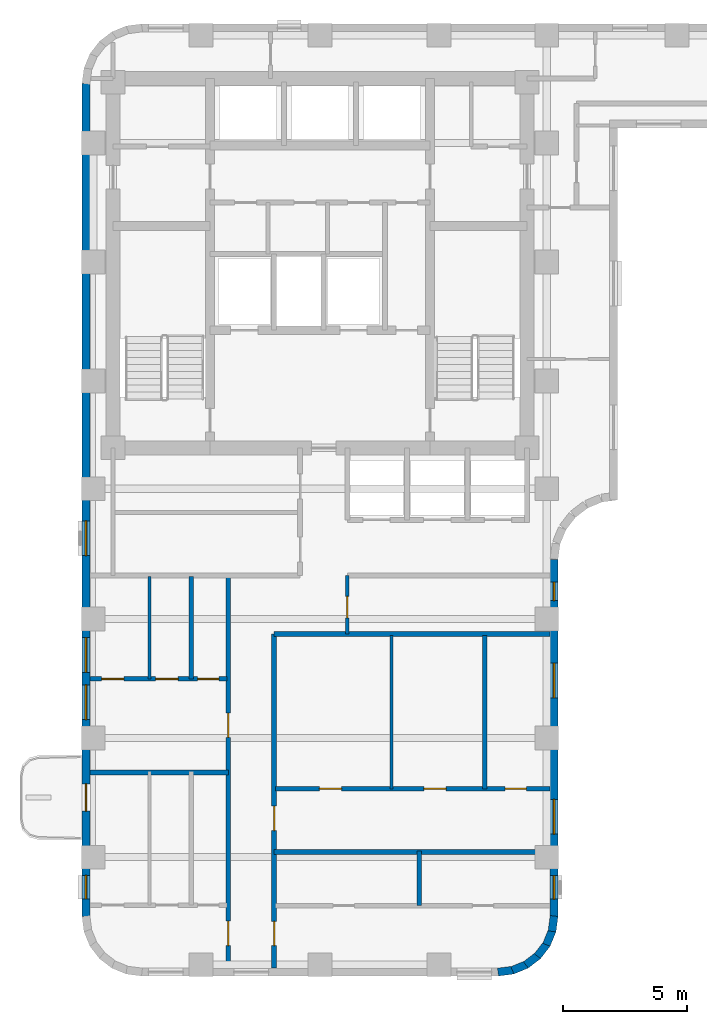
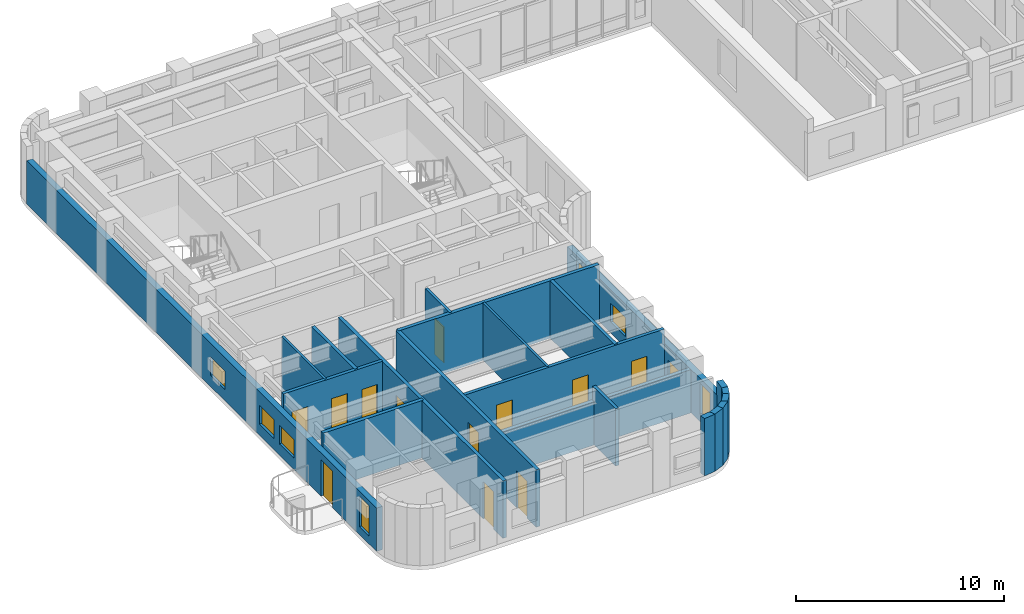
# One storey, part 4 of 11: 21 walls, 12 doors, 8 windows, 20 openings.
"""IFC4 building model written with IfcOpenShell, lengths in metres."""

from ifc_helpers import new_model, si_unit, direction, frame, frame_2d, origin, place, context, subcontext, project, spatial, rectangle, extrude, material, layer, layer_set, type_object, element, fill, save


model = new_model("IFC4")

# Units and contexts
model_context = context("Model", 3, precision=1e-05, world=origin(), true_north=direction((0.0, 1.0)))
body_context = subcontext(model_context, "Body", "Model", "MODEL_VIEW")
ifc_project = project(units=[si_unit("LENGTHUNIT", "METRE"), si_unit("AREAUNIT", "SQUARE_METRE"), si_unit("VOLUMEUNIT", "CUBIC_METRE"), si_unit("PLANEANGLEUNIT", "RADIAN"), si_unit("MASSUNIT", "GRAM", prefix="KILO")], contexts=[model_context])

# Site, building, storey
site_placement = place(None, origin())
site = spatial("IfcSite", under=ifc_project, at=site_placement, CompositionType="ELEMENT")
building_placement = place(site_placement, origin())
building = spatial("IfcBuilding", under=site, at=building_placement, Name="Orvandelia Arch Residences", CompositionType="ELEMENT")
storey_placement = place(building_placement, frame((0.0, 0.0, 175.60009765625)))
storey = spatial("IfcBuildingStorey", under=building, at=storey_placement, Name="L46", CompositionType="ELEMENT", Elevation=175.60009765625)

# Wall, openings, doors
ifc_material_1 = material(Name="Fire-Rated Corridor Partition")
ifc_layer_1 = layer(ifc_material_1, 0.199951171875, Name="Fire-Rated Corridor Partition")
ifc_layer_set_1 = layer_set([ifc_layer_1], Name="Fire-Rated Corridor Partition")
wall_type_1 = type_object("IfcWallType", Name="WL-CORR-200", PredefinedType="PARTITIONING", material=ifc_layer_set_1)
wall_1_placement = place(storey_placement, frame((10.699951171875, 9.919921875, 0.0), z_axis=(0.0, 0.0, 1.0), x_axis=(0.0, 1.0, 0.0)))
wall_1 = element("IfcWall", 1, at=wall_1_placement, inside=storey, type_object=wall_type_1, Name="Interior Partition Wall WL-L46-WC-W", PredefinedType="PARTITIONING", context=body_context, shape_type="SweptSolid", body=[
    extrude(rectangle(XDim=15.830078125, YDim=0.199951171875, at=frame_2d((7.9150390625, 0.0))), origin(), (0.0, 0.0, 1.0), 3.35986328125),
])
opening_1_placement = place(wall_1_placement, frame((0.910888671875, 0.0, 0.0)))
opening_1 = element("IfcOpeningElement", 2, at=opening_1_placement, cuts=wall_1, Name="Opening D1", PredefinedType="OPENING", context=body_context, shape_type="SweptSolid", body=[
    extrude(rectangle(XDim=0.97998046875, YDim=2.179931640625, at=frame_2d((0.489990234375, 1.08984375))), frame((0.0, 0.10986328125, 0.0), z_axis=(0.0, -1.0, 0.0), x_axis=(1.0, 0.0, 0.0)), (0.0, 0.0, 1.0), 0.219970703125),
])
opening_2_placement = place(wall_1_placement, frame((9.302001953125, 0.0, 0.0)))
opening_2 = element("IfcOpeningElement", 3, at=opening_2_placement, cuts=wall_1, Name="Opening D1", PredefinedType="OPENING", context=body_context, shape_type="SweptSolid", body=[
    extrude(rectangle(XDim=0.97998046875, YDim=2.179931640625, at=frame_2d((0.489990234375, 1.08984375))), frame((0.0, 0.10986328125, 0.0), z_axis=(0.0, -1.0, 0.0), x_axis=(1.0, 0.0, 0.0)), (0.0, 0.0, 1.0), 0.219970703125),
])
ifc_material_2 = material(Name="Solid-Core Timber Acoustic Fire Door", Category="wood")
door_type_1 = type_object("IfcDoorType", Name="DR-ENT-980", OperationType="NOTDEFINED", PredefinedType="DOOR", material=ifc_material_2)
door_1_placement = place(opening_1_placement, origin())
door_1 = element("IfcDoor", 4, at=door_1_placement, inside=storey, type_object=door_type_1, Name="Unit L46-01 Entrance Door", OperationType="SINGLE_SWING_LEFT", OverallHeight=2.179931640625, OverallWidth=0.97998046875, PredefinedType="DOOR", context=body_context, shape_type="SweptSolid", body=[
    extrude(rectangle(XDim=0.97998046875, YDim=2.179931640625, at=frame_2d((0.489990234375, 1.08984375))), frame((0.0, 0.02490234375, 0.0), z_axis=(0.0, -1.0, 0.0), x_axis=(1.0, 0.0, 0.0)), (0.0, 0.0, 1.0), 0.050048828125),
])
fill(opening_1, door_1)
door_2_placement = place(opening_2_placement, origin())
door_2 = element("IfcDoor", 5, at=door_2_placement, inside=storey, type_object=door_type_1, Name="Unit L46-02 Entrance Door", OperationType="SINGLE_SWING_RIGHT", OverallHeight=2.179931640625, OverallWidth=0.97998046875, PredefinedType="DOOR", context=body_context, shape_type="SweptSolid", body=[
    extrude(rectangle(XDim=0.97998046875, YDim=2.179931640625, at=frame_2d((0.489990234375, 1.08984375))), frame((0.0, 0.02490234375, 0.0), z_axis=(0.0, -1.0, 0.0), x_axis=(1.0, 0.0, 0.0)), (0.0, 0.0, 1.0), 0.050048828125),
])
fill(opening_2, door_2)

wall_2_placement = place(storey_placement, frame((12.550048828125, 9.919921875, 0.0), z_axis=(0.0, 0.0, 1.0), x_axis=(0.0, 1.0, 0.0)))
wall_2 = element("IfcWall", 6, at=wall_2_placement, inside=storey, type_object=wall_type_1, Name="Interior Partition Wall WL-L46-WC-E", PredefinedType="PARTITIONING", context=body_context, shape_type="SweptSolid", body=[
    extrude(rectangle(XDim=13.47998046875, YDim=0.199951171875, at=frame_2d((6.739990234375, 0.0))), origin(), (0.0, 0.0, 1.0), 3.35986328125),
])
opening_3_placement = place(wall_2_placement, frame((0.902099609375, 0.0, 0.0)))
opening_3 = element("IfcOpeningElement", 7, at=opening_3_placement, cuts=wall_2, Name="Opening D1", PredefinedType="OPENING", context=body_context, shape_type="SweptSolid", body=[
    extrude(rectangle(XDim=0.97998046875, YDim=2.179931640625, at=frame_2d((0.489990234375, 1.08984375))), frame((0.0, 0.10986328125, 0.0), z_axis=(0.0, -1.0, 0.0), x_axis=(1.0, 0.0, 0.0)), (0.0, 0.0, 1.0), 0.219970703125),
])
opening_4_placement = place(wall_2_placement, frame((5.549072265625, 0.0, 0.0)))
opening_4 = element("IfcOpeningElement", 8, at=opening_4_placement, cuts=wall_2, Name="Opening D1", PredefinedType="OPENING", context=body_context, shape_type="SweptSolid", body=[
    extrude(rectangle(XDim=0.97998046875, YDim=2.179931640625, at=frame_2d((0.489990234375, 1.08984375))), frame((0.0, 0.10986328125, 0.0), z_axis=(0.0, -1.0, 0.0), x_axis=(1.0, 0.0, 0.0)), (0.0, 0.0, 1.0), 0.219970703125),
])
door_3_placement = place(opening_3_placement, origin())
door_3 = element("IfcDoor", 9, at=door_3_placement, inside=storey, type_object=door_type_1, Name="Unit L46-03 Entrance Door", OperationType="SINGLE_SWING_LEFT", OverallHeight=2.179931640625, OverallWidth=0.97998046875, PredefinedType="DOOR", context=body_context, shape_type="SweptSolid", body=[
    extrude(rectangle(XDim=0.97998046875, YDim=2.179931640625, at=frame_2d((0.489990234375, 1.08984375))), frame((0.0, 0.02490234375, 0.0), z_axis=(0.0, -1.0, 0.0), x_axis=(1.0, 0.0, 0.0)), (0.0, 0.0, 1.0), 0.050048828125),
])
fill(opening_3, door_3)
door_4_placement = place(opening_4_placement, origin())
door_4 = element("IfcDoor", 10, at=door_4_placement, inside=storey, type_object=door_type_1, Name="Unit L46-04 Entrance Door", OperationType="SINGLE_SWING_RIGHT", OverallHeight=2.179931640625, OverallWidth=0.97998046875, PredefinedType="DOOR", context=body_context, shape_type="SweptSolid", body=[
    extrude(rectangle(XDim=0.97998046875, YDim=2.179931640625, at=frame_2d((0.489990234375, 1.08984375))), frame((0.0, 0.02490234375, 0.0), z_axis=(0.0, -1.0, 0.0), x_axis=(1.0, 0.0, 0.0)), (0.0, 0.0, 1.0), 0.050048828125),
])
fill(opening_4, door_4)

# Walls
wall_3_placement = place(storey_placement, frame((12.550048828125, 23.39990234375, 0.0), z_axis=(0.0, 0.0, 1.0), x_axis=(1.0, 0.0, 0.0)))
element("IfcWall", 11, at=wall_3_placement, inside=storey, type_object=wall_type_1, Name="Interior Partition Wall WL-L46-WLNK-S", PredefinedType="PARTITIONING", context=body_context, shape_type="SweptSolid", body=[
    extrude(rectangle(XDim=11.1298828125, YDim=0.199951171875, at=frame_2d((5.56494140625, 0.0))), origin(), (0.0, 0.0, 1.0), 3.35986328125),
])
ifc_material_3 = material(Name="Concrete C40/50", Category="concrete")
ifc_layer_2 = layer(ifc_material_3, 0.199951171875, Name="Concrete C40/50", Category="concrete")
ifc_layer_set_2 = layer_set([ifc_layer_2], Name="Concrete C40/50")
wall_type_2 = type_object("IfcWallType", Name="WL-DEM-200", PredefinedType="SOLIDWALL", material=ifc_layer_set_2)
wall_4_placement = place(storey_placement, frame((5.1201171875, 17.800048828125, 0.0), z_axis=(0.0, 0.0, 1.0), x_axis=(1.0, 0.0, 0.0)))
element("IfcWall", 12, at=wall_4_placement, inside=storey, type_object=wall_type_2, Name="Interior Partition Wall WL-L46-DEM-WL-178", PredefinedType="SOLIDWALL", context=body_context, shape_type="SweptSolid", body=[
    extrude(rectangle(XDim=5.579833984375, YDim=0.199951171875, at=frame_2d((2.7900390625, 0.0))), origin(), (0.0, 0.0, 1.0), 3.35986328125),
])
wall_5_placement = place(storey_placement, frame((12.550048828125, 14.60009765625, 0.0), z_axis=(0.0, 0.0, 1.0), x_axis=(1.0, 0.0, 0.0)))
element("IfcWall", 13, at=wall_5_placement, inside=storey, type_object=wall_type_2, Name="Interior Partition Wall WL-L46-DEM-WR-146", PredefinedType="SOLIDWALL", context=body_context, shape_type="SweptSolid", body=[
    extrude(rectangle(XDim=11.1298828125, YDim=0.199951171875, at=frame_2d((5.56494140625, 0.0))), origin(), (0.0, 0.0, 1.0), 2.539794921875),
])

# Wall, openings, windows
ifc_material_4 = material(Name="Precast concrete C40/50", Category="concrete")
ifc_layer_3 = layer(ifc_material_4, 0.320068359375, Name="Precast concrete C40/50", Category="concrete")
ifc_layer_set_3 = layer_set([ifc_layer_3], Name="Precast concrete C40/50")
wall_type_3 = type_object("IfcWallType", Name="WL-EXT-STONE-320", PredefinedType="STANDARD", material=ifc_layer_set_3)
wall_6_placement = place(storey_placement, frame((23.840087890625, 26.39990234375, 0.0), z_axis=(0.0, 0.0, 1.0), x_axis=(0.0, -1.0, 0.0)))
wall_6 = element("IfcWall", 14, at=wall_6_placement, inside=storey, type_object=wall_type_3, Name="Coral-Limestone Precast Facade Wall L46-032", PredefinedType="STANDARD", context=body_context, shape_type="SweptSolid", body=[
    extrude(rectangle(XDim=14.39990234375, YDim=0.320068359375, at=frame_2d((7.199951171875, 0.0))), origin(), (0.0, 0.0, 1.0), 2.539794921875),
])
opening_5_placement = place(wall_6_placement, frame((9.676025390625, 0.0, 0.64990234375)))
opening_5 = element("IfcOpeningElement", 15, at=opening_5_placement, cuts=wall_6, Name="Opening W10", PredefinedType="OPENING", context=body_context, shape_type="SweptSolid", body=[
    extrude(rectangle(XDim=1.39990234375, YDim=1.10009765625, at=frame_2d((0.699951171875, 0.550048828125))), frame((0.0, 0.169921875, 0.0), z_axis=(0.0, -1.0, 0.0), x_axis=(1.0, 0.0, 0.0)), (0.0, 0.0, 1.0), 0.340087890625),
])
opening_6_placement = place(wall_6_placement, frame((12.75048828125, 0.0, 0.449951171875)))
opening_6 = element("IfcOpeningElement", 16, at=opening_6_placement, cuts=wall_6, Name="Opening W4", PredefinedType="OPENING", context=body_context, shape_type="SweptSolid", body=[
    extrude(rectangle(XDim=0.949951171875, YDim=1.800048828125, at=frame_2d((0.47509765625, 0.89990234375))), frame((0.0, 0.169921875, 0.0), z_axis=(0.0, -1.0, 0.0), x_axis=(1.0, 0.0, 0.0)), (0.0, 0.0, 1.0), 0.340087890625),
])
opening_7_placement = place(wall_6_placement, frame((4.1826171875, 0.0, 0.64990234375)))
opening_7 = element("IfcOpeningElement", 17, at=opening_7_placement, cuts=wall_6, Name="Opening W10", PredefinedType="OPENING", context=body_context, shape_type="SweptSolid", body=[
    extrude(rectangle(XDim=1.39990234375, YDim=1.10009765625, at=frame_2d((0.699951171875, 0.550048828125))), frame((0.0, 0.169921875, 0.0), z_axis=(0.0, -1.0, 0.0), x_axis=(1.0, 0.0, 0.0)), (0.0, 0.0, 1.0), 0.340087890625),
])
opening_8_placement = place(wall_6_placement, frame((0.907470703125, 0.0, 0.449951171875)))
opening_8 = element("IfcOpeningElement", 18, at=opening_8_placement, cuts=wall_6, Name="Opening W11", PredefinedType="OPENING", context=body_context, shape_type="SweptSolid", body=[
    extrude(rectangle(XDim=0.75, YDim=1.800048828125, at=frame_2d((0.375, 0.89990234375))), frame((0.0, 0.169921875, 0.0), z_axis=(0.0, -1.0, 0.0), x_axis=(1.0, 0.0, 0.0)), (0.0, 0.0, 1.0), 0.340087890625),
])
ifc_material_5 = material(Name="Tempered Low-E Insulated Glazing", Category="glass")
window_type_1 = type_object("IfcWindowType", Name="WIN-BED-0750x1800", PartitioningType="SINGLE_PANEL", PredefinedType="WINDOW", material=ifc_material_5)
window_1_placement = place(opening_8_placement, origin())
window_1 = element("IfcWindow", 19, at=window_1_placement, inside=storey, type_object=window_type_1, Name="Recessed Punched Window L46-020", OverallHeight=1.800048828125, OverallWidth=0.75, PartitioningType="SINGLE_PANEL", PredefinedType="WINDOW", context=body_context, shape_type="SweptSolid", body=[
    extrude(rectangle(XDim=0.75, YDim=1.800048828125, at=frame_2d((0.375, 0.89990234375))), frame((0.0, 0.030029296875, 0.0), z_axis=(0.0, -1.0, 0.0), x_axis=(1.0, 0.0, 0.0)), (0.0, 0.0, 1.0), 0.06005859375),
])
fill(opening_8, window_1)
window_type_2 = type_object("IfcWindowType", Name="WIN-CLR-1400x1100", PartitioningType="SINGLE_PANEL", PredefinedType="WINDOW", material=ifc_material_5)
window_2_placement = place(opening_5_placement, origin())
window_2 = element("IfcWindow", 20, at=window_2_placement, inside=storey, type_object=window_type_2, Name="Recessed Punched Window L46-017", OverallHeight=1.10009765625, OverallWidth=1.39990234375, PartitioningType="SINGLE_PANEL", PredefinedType="WINDOW", context=body_context, shape_type="SweptSolid", body=[
    extrude(rectangle(XDim=1.39990234375, YDim=1.10009765625, at=frame_2d((0.699951171875, 0.550048828125))), frame((0.0, 0.030029296875, 0.0), z_axis=(0.0, -1.0, 0.0), x_axis=(1.0, 0.0, 0.0)), (0.0, 0.0, 1.0), 0.06005859375),
])
fill(opening_5, window_2)
window_3_placement = place(opening_7_placement, origin())
window_3 = element("IfcWindow", 21, at=window_3_placement, inside=storey, type_object=window_type_2, Name="Recessed Punched Window L46-019", OverallHeight=1.10009765625, OverallWidth=1.39990234375, PartitioningType="SINGLE_PANEL", PredefinedType="WINDOW", context=body_context, shape_type="SweptSolid", body=[
    extrude(rectangle(XDim=1.39990234375, YDim=1.10009765625, at=frame_2d((0.699951171875, 0.550048828125))), frame((0.0, 0.030029296875, 0.0), z_axis=(0.0, -1.0, 0.0), x_axis=(1.0, 0.0, 0.0)), (0.0, 0.0, 1.0), 0.06005859375),
])
fill(opening_7, window_3)
window_type_3 = type_object("IfcWindowType", Name="WIN-RES-0950x1800", PartitioningType="SINGLE_PANEL", PredefinedType="WINDOW", material=ifc_material_5)
window_4_placement = place(opening_6_placement, origin())
window_4 = element("IfcWindow", 22, at=window_4_placement, inside=storey, type_object=window_type_3, Name="Recessed Punched Window L46-018", OverallHeight=1.800048828125, OverallWidth=0.949951171875, PartitioningType="SINGLE_PANEL", PredefinedType="WINDOW", context=body_context, shape_type="SweptSolid", body=[
    extrude(rectangle(XDim=0.949951171875, YDim=1.800048828125, at=frame_2d((0.47509765625, 0.89990234375))), frame((0.0, 0.030029296875, 0.0), z_axis=(0.0, -1.0, 0.0), x_axis=(1.0, 0.0, 0.0)), (0.0, 0.0, 1.0), 0.06005859375),
])
fill(opening_6, window_4)

# Walls
wall_7_placement = place(storey_placement, frame((23.84130859375, 12.02099609375, 0.0), z_axis=(0.0, 0.0, 1.0), x_axis=(-0.130504898859, -0.991447664465, 0.0)))
element("IfcWall", 23, at=wall_7_placement, inside=storey, type_object=wall_type_3, Name="Coral-Limestone Precast Facade Wall L46-033", PredefinedType="STANDARD", context=body_context, shape_type="SweptSolid", body=[
    extrude(rectangle(XDim=0.626708984375, YDim=0.320068359375, at=frame_2d((0.3134765625, 0.0))), origin(), (0.0, 0.0, 1.0), 3.35986328125),
])
for number, where, z_axis, x_axis, name in (
    (24, (23.7705078125, 11.43994140625, 0.0), (0.0, 0.0, 1.0), (-0.382650053678, -0.92389335771, 0.0), "Coral-Limestone Precast Facade Wall L46-034"),
    (25, (23.551513671875, 10.8974609375, 0.0), (0.0, 0.0, 1.0), (-0.608693302629, -0.793405610854, 0.0), "Coral-Limestone Precast Facade Wall L46-035"),
    (26, (23.19970703125, 10.4296875, 0.0), (0.0, 0.0, 1.0), (-0.793405610854, -0.608693302629, 0.0), "Coral-Limestone Precast Facade Wall L46-036"),
    (27, (22.73876953125, 10.0693359375, 0.0), (0.0, 0.0, 1.0), (-0.92389335771, -0.382650053678, 0.0), "Coral-Limestone Precast Facade Wall L46-037"),
    (28, (22.2001953125, 9.84033203125, 0.0), (0.0, 0.0, 1.0), (-0.9914410257, -0.130555323746, 0.0), "Coral-Limestone Precast Facade Wall L46-038"),
):
    element("IfcWall", number, at=place(storey_placement, frame(where, z_axis=z_axis, x_axis=x_axis)), inside=storey, type_object=wall_type_3, Name=name, PredefinedType="STANDARD", context=body_context, shape_type="SweptSolid", body=[
        extrude(rectangle(XDim=0.62646484375, YDim=0.320068359375, at=frame_2d((0.313232421875, 0.0))), origin(), (0.0, 0.0, 1.0), 3.35986328125),
    ])

# Wall, openings, door, windows
wall_8_placement = place(storey_placement, frame((4.9599609375, 12.0, 0.0), z_axis=(0.0, 0.0, 1.0), x_axis=(0.0, 1.0, 0.0)))
wall_8 = element("IfcWall", 29, at=wall_8_placement, inside=storey, type_object=wall_type_3, Name="Coral-Limestone Precast Facade Wall L46-046", PredefinedType="STANDARD", context=body_context, shape_type="SweptSolid", body=[
    extrude(rectangle(XDim=33.60009765625, YDim=0.320068359375, at=frame_2d((16.800048828125, 0.0))), origin(), (0.0, 0.0, 1.0), 2.539794921875),
])
opening_9_placement = place(wall_8_placement, frame((4.25, 0.0, 0.0)))
opening_9 = element("IfcOpeningElement", 30, at=opening_9_placement, cuts=wall_8, Name="Opening BD1", PredefinedType="OPENING", context=body_context, shape_type="SweptSolid", body=[
    extrude(rectangle(XDim=1.10009765625, YDim=2.14990234375, at=frame_2d((0.550048828125, 1.074951171875))), frame((0.0, 0.169921875, 0.0), z_axis=(0.0, -1.0, 0.0), x_axis=(1.0, 0.0, 0.0)), (0.0, 0.0, 1.0), 0.340087890625),
])
opening_10_placement = place(wall_8_placement, frame((0.70849609375, 0.0, 0.449951171875)))
opening_10 = element("IfcOpeningElement", 31, at=opening_10_placement, cuts=wall_8, Name="Opening W4", PredefinedType="OPENING", context=body_context, shape_type="SweptSolid", body=[
    extrude(rectangle(XDim=0.949951171875, YDim=1.800048828125, at=frame_2d((0.47509765625, 0.89990234375))), frame((0.0, 0.169921875, 0.0), z_axis=(0.0, -1.0, 0.0), x_axis=(1.0, 0.0, 0.0)), (0.0, 0.0, 1.0), 0.340087890625),
])
opening_11_placement = place(wall_8_placement, frame((9.844482421875, 0.0, 0.64990234375)))
opening_11 = element("IfcOpeningElement", 32, at=opening_11_placement, cuts=wall_8, Name="Opening W10", PredefinedType="OPENING", context=body_context, shape_type="SweptSolid", body=[
    extrude(rectangle(XDim=1.39990234375, YDim=1.10009765625, at=frame_2d((0.699951171875, 0.550048828125))), frame((0.0, 0.169921875, 0.0), z_axis=(0.0, -1.0, 0.0), x_axis=(1.0, 0.0, 0.0)), (0.0, 0.0, 1.0), 0.340087890625),
])
opening_12_placement = place(wall_8_placement, frame((7.939453125, 0.0, 0.64990234375)))
opening_12 = element("IfcOpeningElement", 33, at=opening_12_placement, cuts=wall_8, Name="Opening W10", PredefinedType="OPENING", context=body_context, shape_type="SweptSolid", body=[
    extrude(rectangle(XDim=1.39990234375, YDim=1.10009765625, at=frame_2d((0.699951171875, 0.550048828125))), frame((0.0, 0.169921875, 0.0), z_axis=(0.0, -1.0, 0.0), x_axis=(1.0, 0.0, 0.0)), (0.0, 0.0, 1.0), 0.340087890625),
])
opening_13_placement = place(wall_8_placement, frame((14.5576171875, 0.0, 0.64990234375)))
opening_13 = element("IfcOpeningElement", 34, at=opening_13_placement, cuts=wall_8, Name="Opening W10", PredefinedType="OPENING", context=body_context, shape_type="SweptSolid", body=[
    extrude(rectangle(XDim=1.39990234375, YDim=1.10009765625, at=frame_2d((0.699951171875, 0.550048828125))), frame((0.0, 0.169921875, 0.0), z_axis=(0.0, -1.0, 0.0), x_axis=(1.0, 0.0, 0.0)), (0.0, 0.0, 1.0), 0.340087890625),
])
ifc_material_6 = material(Name="Thermally Broken Aluminium Glazed Door", Category="aluminium")
door_type_2 = type_object("IfcDoorType", Name="DR-BAL-GLAZ-1100", OperationType="NOTDEFINED", PredefinedType="DOOR", material=ifc_material_6)
door_5_placement = place(opening_9_placement, origin())
door_5 = element("IfcDoor", 35, at=door_5_placement, inside=storey, type_object=door_type_2, Name="Tree Balcony Glazed Door BAL-L46-W1", OperationType="SINGLE_SWING_RIGHT", OverallHeight=2.14990234375, OverallWidth=1.10009765625, PredefinedType="DOOR", context=body_context, shape_type="SweptSolid", body=[
    extrude(rectangle(XDim=1.10009765625, YDim=2.14990234375, at=frame_2d((0.550048828125, 1.074951171875))), frame((0.0, 0.02490234375, 0.0), z_axis=(0.0, -1.0, 0.0), x_axis=(1.0, 0.0, 0.0)), (0.0, 0.0, 1.0), 0.050048828125),
])
fill(opening_9, door_5)
window_5_placement = place(opening_11_placement, origin())
window_5 = element("IfcWindow", 36, at=window_5_placement, inside=storey, type_object=window_type_2, Name="Recessed Punched Window L46-025", OverallHeight=1.10009765625, OverallWidth=1.39990234375, PartitioningType="SINGLE_PANEL", PredefinedType="WINDOW", context=body_context, shape_type="SweptSolid", body=[
    extrude(rectangle(XDim=1.39990234375, YDim=1.10009765625, at=frame_2d((0.699951171875, 0.550048828125))), frame((0.0, 0.030029296875, 0.0), z_axis=(0.0, -1.0, 0.0), x_axis=(1.0, 0.0, 0.0)), (0.0, 0.0, 1.0), 0.06005859375),
])
fill(opening_11, window_5)
window_6_placement = place(opening_12_placement, origin())
window_6 = element("IfcWindow", 37, at=window_6_placement, inside=storey, type_object=window_type_2, Name="Recessed Punched Window L46-026", OverallHeight=1.10009765625, OverallWidth=1.39990234375, PartitioningType="SINGLE_PANEL", PredefinedType="WINDOW", context=body_context, shape_type="SweptSolid", body=[
    extrude(rectangle(XDim=1.39990234375, YDim=1.10009765625, at=frame_2d((0.699951171875, 0.550048828125))), frame((0.0, 0.030029296875, 0.0), z_axis=(0.0, -1.0, 0.0), x_axis=(1.0, 0.0, 0.0)), (0.0, 0.0, 1.0), 0.06005859375),
])
fill(opening_12, window_6)
window_7_placement = place(opening_13_placement, origin())
window_7 = element("IfcWindow", 38, at=window_7_placement, inside=storey, type_object=window_type_2, Name="Recessed Punched Window L46-027", OverallHeight=1.10009765625, OverallWidth=1.39990234375, PartitioningType="SINGLE_PANEL", PredefinedType="WINDOW", context=body_context, shape_type="SweptSolid", body=[
    extrude(rectangle(XDim=1.39990234375, YDim=1.10009765625, at=frame_2d((0.699951171875, 0.550048828125))), frame((0.0, 0.030029296875, 0.0), z_axis=(0.0, -1.0, 0.0), x_axis=(1.0, 0.0, 0.0)), (0.0, 0.0, 1.0), 0.06005859375),
])
fill(opening_13, window_7)
window_8_placement = place(opening_10_placement, origin())
window_8 = element("IfcWindow", 39, at=window_8_placement, inside=storey, type_object=window_type_3, Name="Recessed Punched Window L46-024", OverallHeight=1.800048828125, OverallWidth=0.949951171875, PartitioningType="SINGLE_PANEL", PredefinedType="WINDOW", context=body_context, shape_type="SweptSolid", body=[
    extrude(rectangle(XDim=0.949951171875, YDim=1.800048828125, at=frame_2d((0.47509765625, 0.89990234375))), frame((0.0, 0.030029296875, 0.0), z_axis=(0.0, -1.0, 0.0), x_axis=(1.0, 0.0, 0.0)), (0.0, 0.0, 1.0), 0.06005859375),
])
fill(opening_10, window_8)

# Walls
ifc_material_7 = material(Name="Lightweight Gypsum Stud Partition")
ifc_layer_4 = layer(ifc_material_7, 0.1201171875, Name="Lightweight Gypsum Stud Partition")
ifc_layer_set_4 = layer_set([ifc_layer_4], Name="Lightweight Gypsum Stud Partition")
wall_type_4 = type_object("IfcWallType", Name="WL-PART-120", PredefinedType="PARTITIONING", material=ifc_layer_set_4)
wall_9_placement = place(storey_placement, frame((7.514892578125, 21.583984375, 0.0), z_axis=(0.0, 0.0, 1.0), x_axis=(0.0, 1.0, 0.0)))
element("IfcWall", 40, at=wall_9_placement, inside=storey, type_object=wall_type_4, Name="Interior Partition Wall WL-L46-U02-V1", PredefinedType="PARTITIONING", context=body_context, shape_type="SweptSolid", body=[
    extrude(rectangle(XDim=4.135986328125, YDim=0.1201171875, at=frame_2d((2.06787109375, 0.0))), origin(), (0.0, 0.0, 1.0), 3.35986328125),
])
wall_10_placement = place(storey_placement, frame((17.284912109375, 17.153076171875, 0.0), z_axis=(0.0, 0.0, 1.0), x_axis=(0.0, 1.0, 0.0)))
element("IfcWall", 41, at=wall_10_placement, inside=storey, type_object=wall_type_4, Name="Interior Partition Wall WL-L46-U04-V1", PredefinedType="PARTITIONING", context=body_context, shape_type="SweptSolid", body=[
    extrude(rectangle(XDim=6.18701171875, YDim=0.1201171875, at=frame_2d((3.093505859375, 0.0))), origin(), (0.0, 0.0, 1.0), 3.35986328125),
])

# Wall, opening, door
ifc_material_8 = material(Name="Acoustic Gypsum Stud Partition")
ifc_layer_5 = layer(ifc_material_8, 0.14990234375, Name="Acoustic Gypsum Stud Partition")
ifc_layer_set_5 = layer_set([ifc_layer_5], Name="Acoustic Gypsum Stud Partition")
wall_type_5 = type_object("IfcWallType", Name="WL-PART-150", PredefinedType="PARTITIONING", material=ifc_layer_set_5)
wall_11_placement = place(storey_placement, frame((15.5, 23.39990234375, 0.0), z_axis=(0.0, 0.0, 1.0), x_axis=(0.0, 1.0, 0.0)))
wall_11 = element("IfcWall", 42, at=wall_11_placement, inside=storey, type_object=wall_type_5, Name="Interior Partition Wall WL-L46-WLNK-E", PredefinedType="PARTITIONING", context=body_context, shape_type="SweptSolid", body=[
    extrude(rectangle(XDim=2.35009765625, YDim=0.14990234375, at=frame_2d((1.175048828125, 0.0))), origin(), (0.0, 0.0, 1.0), 3.35986328125),
])
opening_14_placement = place(wall_11_placement, frame((0.64990234375, 0.0, 0.0)))
opening_14 = element("IfcOpeningElement", 43, at=opening_14_placement, cuts=wall_11, Name="Opening D4", PredefinedType="OPENING", context=body_context, shape_type="SweptSolid", body=[
    extrude(rectangle(XDim=0.860107421875, YDim=2.10009765625, at=frame_2d((0.43017578125, 1.050048828125))), frame((0.0, 0.0849609375, 0.0), z_axis=(0.0, -1.0, 0.0), x_axis=(1.0, 0.0, 0.0)), (0.0, 0.0, 1.0), 0.169921875),
])
ifc_material_9 = material(Name="Moisture-Sealed Timber Bathroom Door", Category="wood")
door_type_3 = type_object("IfcDoorType", Name="DR-WET-900", OperationType="NOTDEFINED", PredefinedType="DOOR", material=ifc_material_9)
door_6_placement = place(opening_14_placement, origin())
door_6 = element("IfcDoor", 44, at=door_6_placement, inside=storey, type_object=door_type_3, Name="DR-L46-WLNKST", OperationType="SINGLE_SWING_RIGHT", OverallHeight=2.10009765625, OverallWidth=0.860107421875, PredefinedType="DOOR", context=body_context, shape_type="SweptSolid", body=[
    extrude(rectangle(XDim=0.860107421875, YDim=2.10009765625, at=frame_2d((0.43017578125, 1.050048828125))), frame((0.0, 0.02490234375, 0.0), z_axis=(0.0, -1.0, 0.0), x_axis=(1.0, 0.0, 0.0)), (0.0, 0.0, 1.0), 0.050048828125),
])
fill(opening_14, door_6)

# Wall, openings, doors
ifc_material_10 = material(Name="Moisture-Resistant Plumbing Wall")
ifc_layer_6 = layer(ifc_material_10, 0.179931640625, Name="Moisture-Resistant Plumbing Wall")
ifc_layer_set_6 = layer_set([ifc_layer_6], Name="Moisture-Resistant Plumbing Wall")
wall_type_6 = type_object("IfcWallType", Name="WL-WET-180", PredefinedType="PLUMBINGWALL", material=ifc_layer_set_6)
wall_12_placement = place(storey_placement, frame((5.1201171875, 21.583984375, 0.0), z_axis=(0.0, 0.0, 1.0), x_axis=(1.0, 0.0, 0.0)))
wall_12 = element("IfcWall", 45, at=wall_12_placement, inside=storey, type_object=wall_type_6, Name="Interior Partition Wall WL-L46-U02-HZ", PredefinedType="PLUMBINGWALL", context=body_context, shape_type="SweptSolid", body=[
    extrude(rectangle(XDim=5.519775390625, YDim=0.179931640625, at=frame_2d((2.759765625, 0.0))), origin(), (0.0, 0.0, 1.0), 3.35986328125),
])
opening_15_placement = place(wall_12_placement, frame((0.47216796875, 0.0, 0.0)))
opening_15 = element("IfcOpeningElement", 46, at=opening_15_placement, cuts=wall_12, Name="Opening D3", PredefinedType="OPENING", context=body_context, shape_type="SweptSolid", body=[
    extrude(rectangle(XDim=0.89990234375, YDim=2.14990234375, at=frame_2d((0.449951171875, 1.074951171875))), frame((0.0, 0.10009765625, 0.0), z_axis=(0.0, -1.0, 0.0), x_axis=(1.0, 0.0, 0.0)), (0.0, 0.0, 1.0), 0.199951171875),
])
opening_16_placement = place(wall_12_placement, frame((2.655029296875, 0.0, 0.0)))
opening_16 = element("IfcOpeningElement", 47, at=opening_16_placement, cuts=wall_12, Name="Opening D3", PredefinedType="OPENING", context=body_context, shape_type="SweptSolid", body=[
    extrude(rectangle(XDim=0.89990234375, YDim=2.14990234375, at=frame_2d((0.449951171875, 1.074951171875))), frame((0.0, 0.10009765625, 0.0), z_axis=(0.0, -1.0, 0.0), x_axis=(1.0, 0.0, 0.0)), (0.0, 0.0, 1.0), 0.199951171875),
])
opening_17_placement = place(wall_12_placement, frame((4.342041015625, 0.0, 0.0)))
opening_17 = element("IfcOpeningElement", 48, at=opening_17_placement, cuts=wall_12, Name="Opening D4", PredefinedType="OPENING", context=body_context, shape_type="SweptSolid", body=[
    extrude(rectangle(XDim=0.860107421875, YDim=2.10009765625, at=frame_2d((0.43017578125, 1.050048828125))), frame((0.0, 0.10009765625, 0.0), z_axis=(0.0, -1.0, 0.0), x_axis=(1.0, 0.0, 0.0)), (0.0, 0.0, 1.0), 0.199951171875),
])
ifc_material_11 = material(Name="Engineered Timber Flush Door", Category="wood")
door_type_4 = type_object("IfcDoorType", Name="DR-INT-900", OperationType="NOTDEFINED", PredefinedType="DOOR", material=ifc_material_11)
door_7_placement = place(opening_15_placement, origin())
door_7 = element("IfcDoor", 49, at=door_7_placement, inside=storey, type_object=door_type_4, Name="DR-L46-U02-BD1", OperationType="SINGLE_SWING_RIGHT", OverallHeight=2.14990234375, OverallWidth=0.89990234375, PredefinedType="DOOR", context=body_context, shape_type="SweptSolid", body=[
    extrude(rectangle(XDim=0.89990234375, YDim=2.14990234375, at=frame_2d((0.449951171875, 1.074951171875))), frame((0.0, 0.02490234375, 0.0), z_axis=(0.0, -1.0, 0.0), x_axis=(1.0, 0.0, 0.0)), (0.0, 0.0, 1.0), 0.050048828125),
])
fill(opening_15, door_7)
door_8_placement = place(opening_16_placement, origin())
door_8 = element("IfcDoor", 50, at=door_8_placement, inside=storey, type_object=door_type_4, Name="DR-L46-U02-KIT", OperationType="SINGLE_SWING_LEFT", OverallHeight=2.14990234375, OverallWidth=0.89990234375, PredefinedType="DOOR", context=body_context, shape_type="SweptSolid", body=[
    extrude(rectangle(XDim=0.89990234375, YDim=2.14990234375, at=frame_2d((0.449951171875, 1.074951171875))), frame((0.0, 0.02490234375, 0.0), z_axis=(0.0, -1.0, 0.0), x_axis=(1.0, 0.0, 0.0)), (0.0, 0.0, 1.0), 0.050048828125),
])
fill(opening_16, door_8)
door_9_placement = place(opening_17_placement, origin())
door_9 = element("IfcDoor", 51, at=door_9_placement, inside=storey, type_object=door_type_3, Name="DR-L46-U02-BTH", OperationType="SINGLE_SWING_RIGHT", OverallHeight=2.10009765625, OverallWidth=0.860107421875, PredefinedType="DOOR", context=body_context, shape_type="SweptSolid", body=[
    extrude(rectangle(XDim=0.860107421875, YDim=2.10009765625, at=frame_2d((0.43017578125, 1.050048828125))), frame((0.0, 0.02490234375, 0.0), z_axis=(0.0, -1.0, 0.0), x_axis=(1.0, 0.0, 0.0)), (0.0, 0.0, 1.0), 0.050048828125),
])
fill(opening_17, door_9)

# Walls
wall_13_placement = place(storey_placement, frame((9.201904296875, 21.583984375, 0.0), z_axis=(0.0, 0.0, 1.0), x_axis=(0.0, 1.0, 0.0)))
element("IfcWall", 52, at=wall_13_placement, inside=storey, type_object=wall_type_6, Name="Interior Partition Wall WL-L46-U02-V2", PredefinedType="PLUMBINGWALL", context=body_context, shape_type="SweptSolid", body=[
    extrude(rectangle(XDim=4.135986328125, YDim=0.179931640625, at=frame_2d((2.06787109375, 0.0))), origin(), (0.0, 0.0, 1.0), 3.35986328125),
])
wall_14_placement = place(storey_placement, frame((18.39794921875, 12.444091796875, 0.0), z_axis=(0.0, 0.0, 1.0), x_axis=(0.0, 1.0, 0.0)))
element("IfcWall", 53, at=wall_14_placement, inside=storey, type_object=wall_type_6, Name="Interior Partition Wall WL-L46-U03-V1", PredefinedType="PLUMBINGWALL", context=body_context, shape_type="SweptSolid", body=[
    extrude(rectangle(XDim=2.19580078125, YDim=0.179931640625, at=frame_2d((1.097900390625, 0.0))), origin(), (0.0, 0.0, 1.0), 3.35986328125),
])

# Wall, openings, doors
wall_15_placement = place(storey_placement, frame((12.610107421875, 17.153076171875, 0.0), z_axis=(0.0, 0.0, 1.0), x_axis=(1.0, 0.0, 0.0)))
wall_15 = element("IfcWall", 54, at=wall_15_placement, inside=storey, type_object=wall_type_6, Name="Interior Partition Wall WL-L46-U04-HZ", PredefinedType="PLUMBINGWALL", context=body_context, shape_type="SweptSolid", body=[
    extrude(rectangle(XDim=11.06982421875, YDim=0.179931640625, at=frame_2d((5.534912109375, 0.0))), origin(), (0.0, 0.0, 1.0), 3.35986328125),
])
opening_18_placement = place(wall_15_placement, frame((1.762451171875, 0.0, 0.0)))
opening_18 = element("IfcOpeningElement", 55, at=opening_18_placement, cuts=wall_15, Name="Opening D3", PredefinedType="OPENING", context=body_context, shape_type="SweptSolid", body=[
    extrude(rectangle(XDim=0.89990234375, YDim=2.14990234375, at=frame_2d((0.449951171875, 1.074951171875))), frame((0.0, 0.10009765625, 0.0), z_axis=(0.0, -1.0, 0.0), x_axis=(1.0, 0.0, 0.0)), (0.0, 0.0, 1.0), 0.199951171875),
])
opening_19_placement = place(wall_15_placement, frame((5.9765625, 0.0, 0.0)))
opening_19 = element("IfcOpeningElement", 56, at=opening_19_placement, cuts=wall_15, Name="Opening D3", PredefinedType="OPENING", context=body_context, shape_type="SweptSolid", body=[
    extrude(rectangle(XDim=0.89990234375, YDim=2.14990234375, at=frame_2d((0.449951171875, 1.074951171875))), frame((0.0, 0.10009765625, 0.0), z_axis=(0.0, -1.0, 0.0), x_axis=(1.0, 0.0, 0.0)), (0.0, 0.0, 1.0), 0.199951171875),
])
opening_20_placement = place(wall_15_placement, frame((9.25390625, 0.0, 0.0)))
opening_20 = element("IfcOpeningElement", 57, at=opening_20_placement, cuts=wall_15, Name="Opening D4", PredefinedType="OPENING", context=body_context, shape_type="SweptSolid", body=[
    extrude(rectangle(XDim=0.860107421875, YDim=2.10009765625, at=frame_2d((0.43017578125, 1.050048828125))), frame((0.0, 0.10009765625, 0.0), z_axis=(0.0, -1.0, 0.0), x_axis=(1.0, 0.0, 0.0)), (0.0, 0.0, 1.0), 0.199951171875),
])
door_10_placement = place(opening_18_placement, origin())
door_10 = element("IfcDoor", 58, at=door_10_placement, inside=storey, type_object=door_type_4, Name="DR-L46-U04-STDY", OperationType="SINGLE_SWING_RIGHT", OverallHeight=2.14990234375, OverallWidth=0.89990234375, PredefinedType="DOOR", context=body_context, shape_type="SweptSolid", body=[
    extrude(rectangle(XDim=0.89990234375, YDim=2.14990234375, at=frame_2d((0.449951171875, 1.074951171875))), frame((0.0, 0.02490234375, 0.0), z_axis=(0.0, -1.0, 0.0), x_axis=(1.0, 0.0, 0.0)), (0.0, 0.0, 1.0), 0.050048828125),
])
fill(opening_18, door_10)
door_11_placement = place(opening_19_placement, origin())
door_11 = element("IfcDoor", 59, at=door_11_placement, inside=storey, type_object=door_type_4, Name="DR-L46-U04-KIT", OperationType="SINGLE_SWING_LEFT", OverallHeight=2.14990234375, OverallWidth=0.89990234375, PredefinedType="DOOR", context=body_context, shape_type="SweptSolid", body=[
    extrude(rectangle(XDim=0.89990234375, YDim=2.14990234375, at=frame_2d((0.449951171875, 1.074951171875))), frame((0.0, 0.02490234375, 0.0), z_axis=(0.0, -1.0, 0.0), x_axis=(1.0, 0.0, 0.0)), (0.0, 0.0, 1.0), 0.050048828125),
])
fill(opening_19, door_11)
door_12_placement = place(opening_20_placement, origin())
door_12 = element("IfcDoor", 60, at=door_12_placement, inside=storey, type_object=door_type_3, Name="DR-L46-U04-BTH", OperationType="SINGLE_SWING_RIGHT", OverallHeight=2.10009765625, OverallWidth=0.860107421875, PredefinedType="DOOR", context=body_context, shape_type="SweptSolid", body=[
    extrude(rectangle(XDim=0.860107421875, YDim=2.10009765625, at=frame_2d((0.43017578125, 1.050048828125))), frame((0.0, 0.02490234375, 0.0), z_axis=(0.0, -1.0, 0.0), x_axis=(1.0, 0.0, 0.0)), (0.0, 0.0, 1.0), 0.050048828125),
])
fill(opening_20, door_12)

# Wall
wall_16_placement = place(storey_placement, frame((21.0380859375, 17.153076171875, 0.0), z_axis=(0.0, 0.0, 1.0), x_axis=(0.0, 1.0, 0.0)))
element("IfcWall", 61, at=wall_16_placement, inside=storey, type_object=wall_type_6, Name="Interior Partition Wall WL-L46-U04-V2", PredefinedType="PLUMBINGWALL", context=body_context, shape_type="SweptSolid", body=[
    extrude(rectangle(XDim=6.18701171875, YDim=0.179931640625, at=frame_2d((3.093505859375, 0.0))), origin(), (0.0, 0.0, 1.0), 3.35986328125),
])

save(model, "model.ifc")
